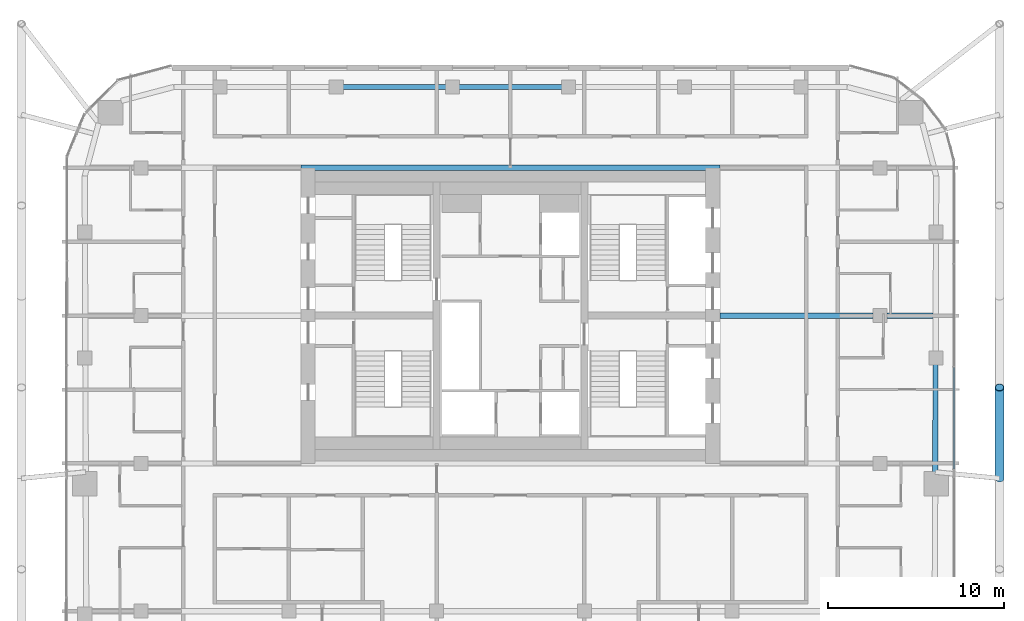
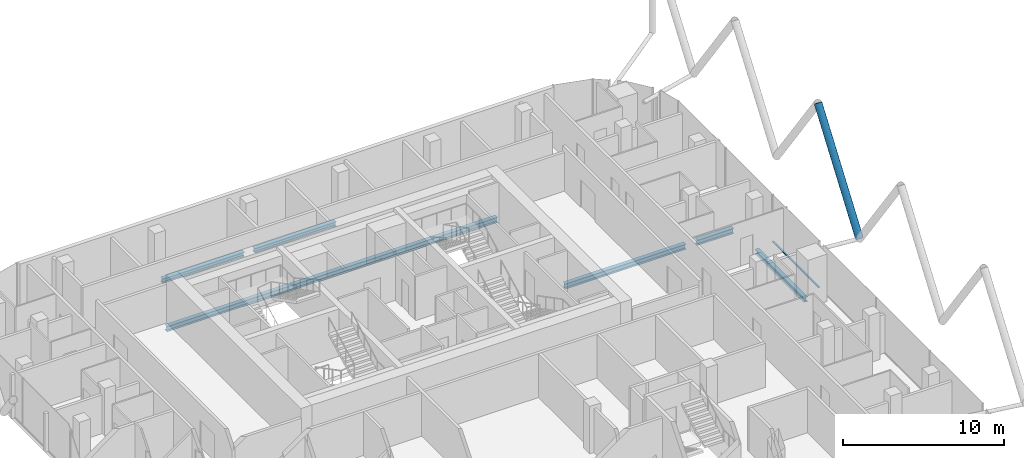
# One storey, part 9 of 31: 6 beams, 2 members, 1 element without a shape of its own.
"""IFC4 building model written with IfcOpenShell, lengths in metres."""

from ifc_helpers import new_model, si_unit, direction, frame, origin, origin_2d, place, context, subcontext, project, spatial, rectangle, hollow_circle, i_section, extrude, material, layer, layer_set, material_profile, profile_set, type_object, element, aggregate, save


model = new_model("IFC4")

# Units and contexts
model_context = context("Model", 3, precision=1e-05, world=origin(), true_north=direction((0.0, 1.0)))
body_context = subcontext(model_context, "Body", "Model", "MODEL_VIEW")
ifc_project = project(units=[si_unit("LENGTHUNIT", "METRE"), si_unit("AREAUNIT", "SQUARE_METRE"), si_unit("VOLUMEUNIT", "CUBIC_METRE"), si_unit("PLANEANGLEUNIT", "RADIAN"), si_unit("MASSUNIT", "GRAM", prefix="KILO")], contexts=[model_context])

# Site, building, storey
site_placement = place(None, origin())
site = spatial("IfcSite", under=ifc_project, at=site_placement, CompositionType="ELEMENT")
building_placement = place(site_placement, origin())
building = spatial("IfcBuilding", under=site, at=building_placement, Name="Marenta Gate Hotel Tower", CompositionType="ELEMENT")
storey_placement = place(building_placement, frame((0.0, 0.0, 234.5)))
storey = spatial("IfcBuildingStorey", under=building, at=storey_placement, Name="L55", CompositionType="ELEMENT", Elevation=234.5)

# Member
ifc_material_1 = material(Name="Steel S355J2W", Category="steel")
ifc_material_profile_1 = material_profile(ifc_material_1, hollow_circle(Radius=0.25390625, WallThickness=0.02490234375, at=origin_2d()), Name="CHS 508x25")
ifc_profile_set_1 = profile_set([ifc_material_profile_1], Name="Steel S355J2W")
member_type_1 = type_object("IfcMemberType", Name="Diagrid diagonal Z3 CHS 508x25", PredefinedType="BRACE", material=ifc_profile_set_1)
member_1_placement = place(storey_placement, frame((27.800048828125, -0.85009765625, 3.139892578125), z_axis=(0.0, 0.583247791947, 0.812294289767), x_axis=(-1.0, 0.0, 0.0)))
element("IfcMember", 1, at=member_1_placement, inside=storey, type_object=member_type_1, Name="L55-DG-5", PredefinedType="BRACE", context=body_context, shape_type="SweptSolid", body=[
    extrude(hollow_circle(Radius=0.25390625, WallThickness=0.02490234375, at=origin_2d()), origin(), (0.0, 0.0, 1.0), 8.864013671875),
])

# Beams
ifc_material_2 = material(Name="Steel S355", Category="steel")
ifc_material_profile_2 = material_profile(ifc_material_2, i_section(OverallWidth=0.300048828125, OverallDepth=0.340087890625, WebThickness=0.011962890625, FlangeThickness=0.021484375, FilletRadius=0.027099609375, at=origin_2d()), Name="HEB 340")
ifc_profile_set_2 = profile_set([ifc_material_profile_2], Name="Steel S355")
beam_type_1 = type_object("IfcBeamType", Name="Edge beam HEB 340", PredefinedType="SPANDREL", material=ifc_profile_set_2)
for number, where, z_axis, x_axis, name in (
    (2, (-9.544189453125, 21.39990234375, -0.429931640625), (1.0, 0.0, 0.0), (0.0, 1.0, 0.0), "L55-EB-15"),
    (3, (-2.94140625, 21.39990234375, -0.429931640625), (1.0, 0.0, 0.0), (0.0, 1.0, 0.0), "L55-EB-16"),
):
    element("IfcBeam", number, at=place(storey_placement, frame(where, z_axis=z_axis, x_axis=x_axis)), inside=storey, type_object=beam_type_1, Name=name, PredefinedType="SPANDREL", context=body_context, shape_type="SweptSolid", body=[
        extrude(i_section(OverallWidth=0.300048828125, OverallDepth=0.340087890625, WebThickness=0.011962890625, FlangeThickness=0.021484375, FilletRadius=0.027099609375, at=origin_2d()), origin(), (0.0, 0.0, 1.0), 5.8828125),
    ])
beam_1_placement = place(storey_placement, frame((24.164306640625, 5.643310546875, -0.429931640625), z_axis=(-0.003303859048, -0.999994542243, 0.0), x_axis=(0.999994542243, -0.003303859048, 0.0)))
element("IfcBeam", 4, at=beam_1_placement, inside=storey, type_object=beam_type_1, Name="L55-EB-24", PredefinedType="SPANDREL", context=body_context, shape_type="SweptSolid", body=[
    extrude(i_section(OverallWidth=0.300048828125, OverallDepth=0.340087890625, WebThickness=0.011962890625, FlangeThickness=0.021484375, FilletRadius=0.027099609375, at=origin_2d()), origin(), (0.0, 0.0, 1.0), 6.13330078125),
])
ifc_material_3 = material(Name="Steel S355", Category="steel")
ifc_material_profile_3 = material_profile(ifc_material_3, i_section(OverallWidth=0.300048828125, OverallDepth=0.39990234375, WebThickness=0.013427734375, FlangeThickness=0.02392578125, FilletRadius=0.027099609375, at=origin_2d()), Name="HEB 400")
ifc_profile_set_3 = profile_set([ifc_material_profile_3], Name="Steel S355")
beam_type_2 = type_object("IfcBeamType", Name="Girder HEB 400", PredefinedType="BEAM", material=ifc_profile_set_3)
beam_2_placement = place(storey_placement, frame((11.89990234375, 8.39990234375, -0.4599609375), z_axis=(1.0, 0.0, 0.0), x_axis=(0.0, 1.0, 0.0)))
element("IfcBeam", 5, at=beam_2_placement, inside=storey, type_object=beam_type_2, Name="L55-GD-27", PredefinedType="BEAM", context=body_context, shape_type="SweptSolid", body=[
    extrude(i_section(OverallWidth=0.300048828125, OverallDepth=0.39990234375, WebThickness=0.013427734375, FlangeThickness=0.02392578125, FilletRadius=0.027099609375, at=origin_2d()), origin(), (0.0, 0.0, 1.0), 8.7001953125),
])
beam_3_placement = place(storey_placement, frame((21.39990234375, 8.39990234375, -0.4599609375), z_axis=(1.0, 0.0, 0.0), x_axis=(0.0, 1.0, 0.0)))
element("IfcBeam", 6, at=beam_3_placement, inside=storey, type_object=beam_type_2, Name="L55-GD-28", PredefinedType="BEAM", context=body_context, shape_type="SweptSolid", body=[
    extrude(i_section(OverallWidth=0.300048828125, OverallDepth=0.39990234375, WebThickness=0.013427734375, FlangeThickness=0.02392578125, FilletRadius=0.027099609375, at=origin_2d()), origin(), (0.0, 0.0, 1.0), 2.623779296875),
])
beam_4_placement = place(storey_placement, frame((-11.89990234375, 16.800048828125, -0.4599609375), z_axis=(1.0, 0.0, 0.0), x_axis=(0.0, 1.0, 0.0)))
element("IfcBeam", 7, at=beam_4_placement, inside=storey, type_object=beam_type_2, Name="L55-GD-31", PredefinedType="BEAM", context=body_context, shape_type="SweptSolid", body=[
    extrude(i_section(OverallWidth=0.300048828125, OverallDepth=0.39990234375, WebThickness=0.013427734375, FlangeThickness=0.02392578125, FilletRadius=0.027099609375, at=origin_2d()), origin(), (0.0, 0.0, 1.0), 23.7998046875),
])

# Curtain wall, member
ifc_material_4 = material(Name="Tinted insulated glass in bronze anodised frame", Category="glass")
ifc_layer = layer(ifc_material_4, 0.1201171875)
ifc_layer_set = layer_set([ifc_layer], Name="Tinted insulated glass in bronze anodised frame")
curtain_wall_type = type_object("IfcCurtainWallType", Name="Tower unitised curtain wall CW1", PredefinedType="NOTDEFINED", material=ifc_layer_set)
curtain_wall_placement = place(storey_placement, origin())
curtain_wall = element("IfcCurtainWall", 8, at=curtain_wall_placement, inside=storey, type_object=curtain_wall_type, Name="CW1 run G34", PredefinedType="NOTDEFINED")
ifc_material_5 = material(Name="Bronze anodised aluminium", Category="aluminium")
ifc_material_profile_4 = material_profile(ifc_material_5, rectangle(XDim=0.1201171875, YDim=0.06005859375, at=origin_2d()), Name="Transom CW1 60x120 bronze anodised aluminium")
ifc_profile_set_4 = profile_set([ifc_material_profile_4], Name="Bronze anodised aluminium")
member_type_2 = type_object("IfcMemberType", Name="Transom CW1 60x120 bronze anodised aluminium", PredefinedType="USERDEFINED", material=ifc_profile_set_4)
member_2_placement = place(storey_placement, frame((25.214111328125, -0.307861328125, 0.030029296875), z_axis=(0.0, 1.0, 0.0), x_axis=(-1.0, 0.0, 0.0)))
member_2 = element("IfcMember", 9, at=member_2_placement, type_object=member_type_2, Name="CW1 transom 1.1", ObjectType="TRANSOM", PredefinedType="USERDEFINED", context=body_context, shape_type="SweptSolid", body=[
    extrude(rectangle(XDim=0.1201171875, YDim=0.06005859375, at=origin_2d()), origin(), (0.0, 0.0, 1.0), 5.76318359375),
])
aggregate(curtain_wall, [member_2])

save(model, "model.ifc")
